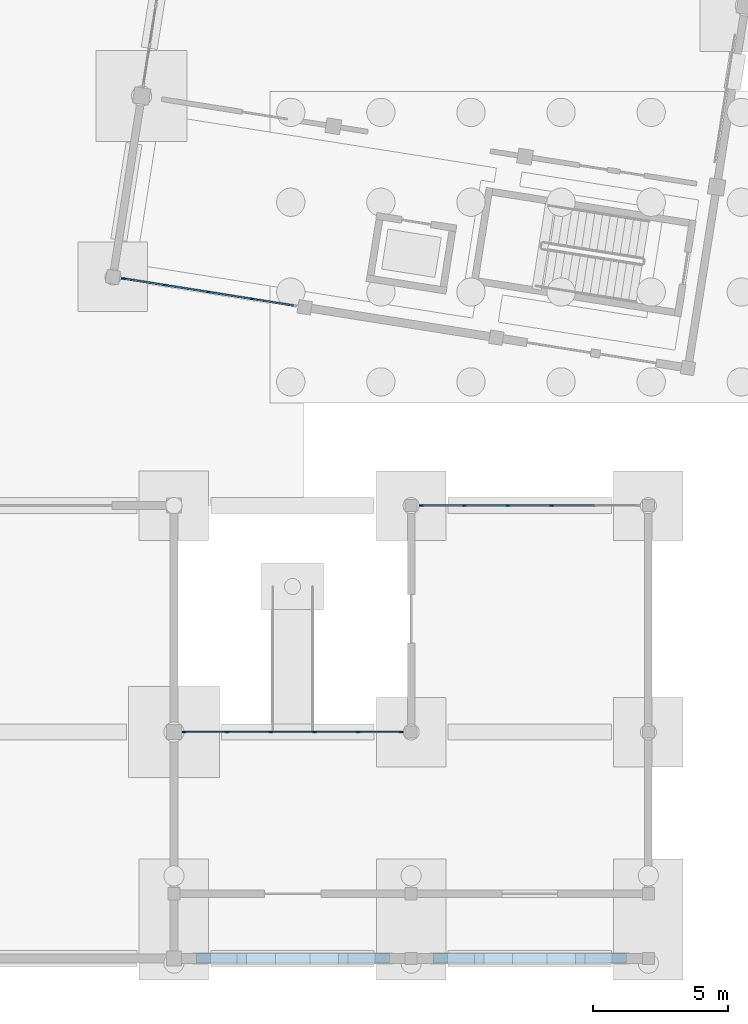
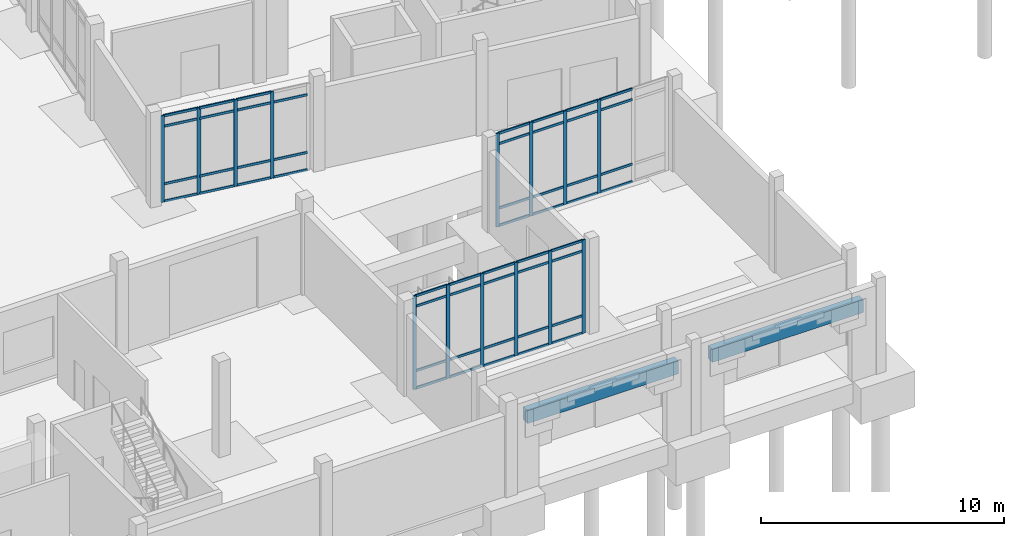
# One storey, part 14 of 72: 65 members, 2 beams, 3 elements without a shape of their own.
"""IFC4 building model written with IfcOpenShell, lengths in metres."""

import ifcopenshell
import ifcopenshell.guid

model = None  # the IFC model being written
_history = None  # IfcOwnerHistory: only IFC2X3 demands one
_inside = {}  # id of a spatial element -> (the spatial element, [elements in it])
_under = {}  # id of a project, library or spatial element -> (it, [spatial elements below it])
_declared = {}  # id of a project -> (the project, [libraries it declares])
_typed = {}  # id of a type object -> (the type object, [elements of that type])
_made_of = {}  # id of a material, layer set ... -> (it, [elements and type objects made of it])


def new_model(schema):
    """Start an empty IFC model of exactly this schema.

    Asked for "IFC4X3", IfcOpenShell would pick the latest addendum, in which some entities
    have other attributes; the version numbers below select the first issue.
    IFC2X3 requires an IfcOwnerHistory on every rooted entity: one is made here for all.
    """
    global model, _history
    if schema == "IFC4X3":
        model = ifcopenshell.file(schema_version=(4, 3, 0, 0))
    else:
        model = ifcopenshell.file(schema=schema)
    _inside.clear()
    _under.clear()
    _declared.clear()
    _typed.clear()
    _made_of.clear()
    _history = None
    if model.schema == "IFC2X3":
        org = make("IfcOrganization", Name="unknown")
        user = make(
            "IfcPersonAndOrganization",
            ThePerson=make("IfcPerson", FamilyName="unknown"),
            TheOrganization=org,
        )
        app = make(
            "IfcApplication",
            ApplicationDeveloper=org,
            Version="unknown",
            ApplicationFullName="unknown",
            ApplicationIdentifier="unknown",
        )
        _history = make(
            "IfcOwnerHistory",
            OwningUser=user,
            OwningApplication=app,
            ChangeAction="ADDED",
            CreationDate=0,
        )
    return model


def make(cls, **values):
    """One entity of the class cls with the attributes given. An attribute that is None is left unset."""
    return model.create_entity(
        cls, **{name: value for name, value in values.items() if value is not None}
    )


def rooted(cls, **values):
    """An entity with a GlobalId (a new one), such as an element, a storey or a relation."""
    return make(cls, GlobalId=ifcopenshell.guid.new(), OwnerHistory=_history, **values)


def si_unit(unit_type, name, prefix=None):
    """IfcSIUnit, for example si_unit("LENGTHUNIT", "METRE", prefix="MILLI")."""
    return make("IfcSIUnit", UnitType=unit_type, Prefix=prefix, Name=name)


def assignment(units):
    """IfcUnitAssignment: the units of a project."""
    return None if units is None else make("IfcUnitAssignment", Units=units)


def point(xyz):
    """IfcCartesianPoint."""
    return None if xyz is None else make("IfcCartesianPoint", Coordinates=xyz)


def direction(xyz):
    """IfcDirection."""
    return None if xyz is None else make("IfcDirection", DirectionRatios=xyz)


def frame(location, z_axis=None, x_axis=None):
    """IfcAxis2Placement3D, a coordinate frame: its origin and axes. An axis left out is left unset."""
    return make(
        "IfcAxis2Placement3D",
        Location=point(location),
        Axis=direction(z_axis),
        RefDirection=direction(x_axis),
    )


def frame_2d(location, x_axis=None):
    """IfcAxis2Placement2D, a coordinate frame in the plane: its origin and x axis."""
    return make(
        "IfcAxis2Placement2D", Location=point(location), RefDirection=direction(x_axis)
    )


def origin():
    """The frame at (0, 0, 0) with its axes left unset."""
    return frame((0.0, 0.0, 0.0))


def origin_2d():
    """The frame at (0, 0) in the plane with its x axis left unset."""
    return frame_2d((0.0, 0.0))


def place(relative_to, where):
    """IfcLocalPlacement: puts the frame where relative to a parent placement (None: the world)."""
    return make(
        "IfcLocalPlacement", PlacementRelTo=relative_to, RelativePlacement=where
    )


def context(
    kind, dimensions, precision=None, world=None, true_north=None, identifier=None
):
    """IfcGeometricRepresentationContext, for example the 3D "Model" context."""
    return make(
        "IfcGeometricRepresentationContext",
        ContextIdentifier=identifier,
        ContextType=kind,
        CoordinateSpaceDimension=dimensions,
        Precision=precision,
        WorldCoordinateSystem=world,
        TrueNorth=true_north,
    )


def subcontext(parent, identifier, kind, view, scale=None):
    """IfcGeometricRepresentationSubContext, for example "Body" below "Model"."""
    return make(
        "IfcGeometricRepresentationSubContext",
        ContextIdentifier=identifier,
        ContextType=kind,
        ParentContext=parent,
        TargetScale=scale,
        TargetView=view,
    )


def project(units=None, contexts=None):
    """IfcProject with its units and contexts."""
    return rooted(
        "IfcProject",
        Name="project",
        RepresentationContexts=contexts,
        UnitsInContext=assignment(units),
    )


def spatial(cls, under=None, at=None, **own):
    """A site, building, storey or space (cls), placed at a placement, below another one or the project."""
    s = rooted(cls, ObjectPlacement=at, **own)
    if under is not None:
        _under.setdefault(under.id(), (under, []))[1].append(s)
    return s


def profile(cls, at=None, kind="AREA", **sizes):
    """A parametric profile (cls). Its sizes go by their IFC names, for example OverallWidth=200.0."""
    return make(cls, ProfileType=kind, Position=at, **sizes)


def rectangle(**sizes):
    """IfcRectangleProfileDef."""
    return profile("IfcRectangleProfileDef", **sizes)


def extrude(swept, where, along, depth):
    """IfcExtrudedAreaSolid: the profile swept, set in the frame where, extruded along a direction by depth."""
    return make(
        "IfcExtrudedAreaSolid",
        SweptArea=swept,
        Position=where,
        ExtrudedDirection=direction(along),
        Depth=depth,
    )


def shape(context_of_items, identifier, shape_type, items):
    """IfcShapeRepresentation: the items that make up one representation, for example the "Body"."""
    return make(
        "IfcShapeRepresentation",
        ContextOfItems=context_of_items,
        RepresentationIdentifier=identifier,
        RepresentationType=shape_type,
        Items=items,
    )


def material(Name=None, Category=None):
    """IfcMaterial."""
    return make("IfcMaterial", Name=Name, Category=Category)


def material_profile(
    of_material, cross_section, Name=None, Category=None, Priority=None
):
    """IfcMaterialProfile: a cross section and its material."""
    return make(
        "IfcMaterialProfile",
        Name=Name,
        Material=of_material,
        Profile=cross_section,
        Priority=Priority,
        Category=Category,
    )


def profile_set(profiles, Name=None, composite=None):
    """IfcMaterialProfileSet."""
    return make(
        "IfcMaterialProfileSet",
        Name=Name,
        MaterialProfiles=profiles,
        CompositeProfile=composite,
    )


def made_of(thing, what):
    """Note that an element or type object is made of a material, layer set ...; save() writes the relation."""
    if what is not None:
        _made_of.setdefault(what.id(), (what, []))[1].append(thing)
    return thing


def type_object(cls, material=None, **own):
    """A type object (cls), such as IfcWallType, which elements share."""
    return made_of(rooted(cls, **own), material)


def element(
    cls,
    number,
    at=None,
    inside=None,
    cuts=None,
    type_object=None,
    material=None,
    context=None,
    identifier="Body",
    shape_type=None,
    held_by="IfcProductDefinitionShape",
    body=None,
    shapes=None,
    **own,
):
    """One element of the class cls, such as IfcWall. Its Tag is "e" and its number.

    at: its placement. inside: the storey or other place that contains it. cuts: it is an
    opening in that element (IfcRelVoidsElement). A single representation is given by context,
    identifier, shape_type and body (its items); several are given by shapes. held_by: the class
    of the entity that holds the representations. save() writes the other relations.
    """
    e = rooted(cls, Tag="e%d" % number, ObjectPlacement=at, **own)
    if body is not None:
        shapes = [shape(context, identifier, shape_type, body)]
    if shapes is not None:
        e.Representation = make(held_by, Representations=shapes)
    if inside is not None:
        _inside.setdefault(inside.id(), (inside, []))[1].append(e)
    if cuts is not None:
        rooted(
            "IfcRelVoidsElement", RelatingBuildingElement=cuts, RelatedOpeningElement=e
        )
    if type_object is not None:
        _typed.setdefault(type_object.id(), (type_object, []))[1].append(e)
    return made_of(e, material)


def aggregate(whole, parts):
    """IfcRelAggregates: a whole, such as a stair, and the parts it consists of."""
    return rooted("IfcRelAggregates", RelatingObject=whole, RelatedObjects=parts)


def save(model, path):
    """Write the relations noted so far, then the file.

    IfcRelAggregates (storeys below a building ...), IfcRelContainedInSpatialStructure (elements
    in a storey), IfcRelDefinesByType, IfcRelAssociatesMaterial and IfcRelDeclares: one each for
    every whole, place, type object, material and project.
    """
    for whole, parts in _under.values():
        aggregate(whole, parts)
    for where, things in _inside.values():
        rooted(
            "IfcRelContainedInSpatialStructure",
            RelatedElements=things,
            RelatingStructure=where,
        )
    for kind, things in _typed.values():
        rooted("IfcRelDefinesByType", RelatedObjects=things, RelatingType=kind)
    for what, things in _made_of.values():
        rooted("IfcRelAssociatesMaterial", RelatedObjects=things, RelatingMaterial=what)
    for by, libraries in _declared.values():
        rooted("IfcRelDeclares", RelatingContext=by, RelatedDefinitions=libraries)
    model.write(path)


model = new_model("IFC4")

# Units and contexts
model_context = context("Model", 3, precision=1e-05, world=origin(), true_north=direction((0.0, 1.0)))
body_context = subcontext(model_context, "Body", "Model", "MODEL_VIEW")
ifc_project = project(units=[si_unit("LENGTHUNIT", "METRE"), si_unit("AREAUNIT", "SQUARE_METRE"), si_unit("VOLUMEUNIT", "CUBIC_METRE"), si_unit("PLANEANGLEUNIT", "RADIAN"), si_unit("MASSUNIT", "GRAM", prefix="KILO")], contexts=[model_context])

# Site, building, storey
site_placement = place(None, origin())
site = spatial("IfcSite", under=ifc_project, at=site_placement, CompositionType="ELEMENT")
building_placement = place(site_placement, origin())
building = spatial("IfcBuilding", under=site, at=building_placement, Name="Cinderway Yard Community Centre", CompositionType="ELEMENT")
storey_placement = place(building_placement, origin())
storey = spatial("IfcBuildingStorey", under=building, at=storey_placement, Name="L00", CompositionType="ELEMENT", Elevation=0.0)

# Curtain wall, members
ifc_material_1 = material(Name="Aluminium 6063-T6", Category="aluminium")
curtain_wall_type_1 = type_object("IfcCurtainWallType", Name="ENV-CW-TYPE-13", PredefinedType="USERDEFINED", material=ifc_material_1)
curtain_wall_1_placement = place(storey_placement, origin())
curtain_wall_1 = element("IfcCurtainWall", 1, at=curtain_wall_1_placement, inside=storey, type_object=curtain_wall_type_1, Name="Sports South Lobby Curtain Wall ENV-CW-L00-ST-0050", ObjectType="GLAZED CURTAIN WALL", PredefinedType="USERDEFINED")
ifc_material_profile_1 = material_profile(ifc_material_1, rectangle(XDim=0.06005859375, YDim=0.159912109375, at=origin_2d()), Name="Aluminium 6063-T6")
ifc_profile_set_1 = profile_set([ifc_material_profile_1], Name="Aluminium 6063-T6")
member_type_1 = type_object("IfcMemberType", Name="ENV-CW-MULL-150", PredefinedType="MULLION", material=ifc_profile_set_1)
member_1_placement = place(storey_placement, frame((117.321533203125, 31.223388671875, 0.0), z_axis=(0.0, 0.0, 1.0), x_axis=(0.156636128875, 0.987656379077, 0.0)))
member_1 = element("IfcMember", 2, at=member_1_placement, type_object=member_type_1, Name="CW-13 mullion 1", PredefinedType="MULLION", context=body_context, shape_type="SweptSolid", body=[
    extrude(rectangle(XDim=0.06005859375, YDim=0.159912109375, at=origin_2d()), origin(), (0.0, 0.0, 1.0), 4.35009765625),
])
member_2_placement = place(storey_placement, frame((118.89208984375, 30.974365234375, 0.0), z_axis=(0.0, 0.0, 1.0), x_axis=(0.156636128875, 0.987656379077, 0.0)))
member_2 = element("IfcMember", 3, at=member_2_placement, type_object=member_type_1, Name="CW-13 mullion 2", PredefinedType="MULLION", context=body_context, shape_type="SweptSolid", body=[
    extrude(rectangle(XDim=0.06005859375, YDim=0.159912109375, at=origin_2d()), origin(), (0.0, 0.0, 1.0), 4.35009765625),
])
member_3_placement = place(storey_placement, frame((120.491943359375, 30.720458984375, 0.0), z_axis=(0.0, 0.0, 1.0), x_axis=(0.156636128875, 0.987656379077, 0.0)))
member_3 = element("IfcMember", 4, at=member_3_placement, type_object=member_type_1, Name="CW-13 mullion 3", PredefinedType="MULLION", context=body_context, shape_type="SweptSolid", body=[
    extrude(rectangle(XDim=0.06005859375, YDim=0.159912109375, at=origin_2d()), origin(), (0.0, 0.0, 1.0), 4.35009765625),
])
member_4_placement = place(storey_placement, frame((122.092041015625, 30.466796875, 0.0), z_axis=(0.0, 0.0, 1.0), x_axis=(0.156636128875, 0.987656379077, 0.0)))
member_4 = element("IfcMember", 5, at=member_4_placement, type_object=member_type_1, Name="CW-13 mullion 4", PredefinedType="MULLION", context=body_context, shape_type="SweptSolid", body=[
    extrude(rectangle(XDim=0.06005859375, YDim=0.159912109375, at=origin_2d()), origin(), (0.0, 0.0, 1.0), 4.35009765625),
])

curtain_wall_type_2 = type_object("IfcCurtainWallType", Name="ENV-CW-TYPE-35", PredefinedType="USERDEFINED", material=ifc_material_1)
curtain_wall_2_placement = place(storey_placement, origin())
curtain_wall_2 = element("IfcCurtainWall", 6, at=curtain_wall_2_placement, inside=storey, type_object=curtain_wall_type_2, Name="East Arcade Courtyard Curtain Wall ENV-CW-L00-ST-0198", ObjectType="GLAZED CURTAIN WALL", PredefinedType="USERDEFINED")
member_5_placement = place(storey_placement, frame((119.580078125, 14.39990234375, 0.0), z_axis=(0.0, 0.0, 1.0), x_axis=(0.0, 1.0, 0.0)))
member_5 = element("IfcMember", 7, at=member_5_placement, type_object=member_type_1, Name="CW-35 mullion 1", PredefinedType="MULLION", context=body_context, shape_type="SweptSolid", body=[
    extrude(rectangle(XDim=0.06005859375, YDim=0.159912109375, at=origin_2d()), origin(), (0.0, 0.0, 1.0), 4.699951171875),
])
member_6_placement = place(storey_placement, frame((121.169921875, 14.39990234375, 0.0), z_axis=(0.0, 0.0, 1.0), x_axis=(0.0, 1.0, 0.0)))
member_6 = element("IfcMember", 8, at=member_6_placement, type_object=member_type_1, Name="CW-35 mullion 2", PredefinedType="MULLION", context=body_context, shape_type="SweptSolid", body=[
    extrude(rectangle(XDim=0.06005859375, YDim=0.159912109375, at=origin_2d()), origin(), (0.0, 0.0, 1.0), 4.699951171875),
])
member_7_placement = place(storey_placement, frame((122.7900390625, 14.39990234375, 0.0), z_axis=(0.0, 0.0, 1.0), x_axis=(0.0, 1.0, 0.0)))
member_7 = element("IfcMember", 9, at=member_7_placement, type_object=member_type_1, Name="CW-35 mullion 3", PredefinedType="MULLION", context=body_context, shape_type="SweptSolid", body=[
    extrude(rectangle(XDim=0.06005859375, YDim=0.159912109375, at=origin_2d()), origin(), (0.0, 0.0, 1.0), 4.699951171875),
])
member_8_placement = place(storey_placement, frame((124.409912109375, 14.39990234375, 0.0), z_axis=(0.0, 0.0, 1.0), x_axis=(0.0, 1.0, 0.0)))
member_8 = element("IfcMember", 10, at=member_8_placement, type_object=member_type_1, Name="CW-35 mullion 4", PredefinedType="MULLION", context=body_context, shape_type="SweptSolid", body=[
    extrude(rectangle(XDim=0.06005859375, YDim=0.159912109375, at=origin_2d()), origin(), (0.0, 0.0, 1.0), 4.699951171875),
])
member_9_placement = place(storey_placement, frame((126.030029296875, 14.39990234375, 0.0), z_axis=(0.0, 0.0, 1.0), x_axis=(0.0, 1.0, 0.0)))
member_9 = element("IfcMember", 11, at=member_9_placement, type_object=member_type_1, Name="CW-35 mullion 5", PredefinedType="MULLION", context=body_context, shape_type="SweptSolid", body=[
    extrude(rectangle(XDim=0.06005859375, YDim=0.159912109375, at=origin_2d()), origin(), (0.0, 0.0, 1.0), 4.699951171875),
])
member_10_placement = place(storey_placement, frame((127.6201171875, 14.39990234375, 0.0), z_axis=(0.0, 0.0, 1.0), x_axis=(0.0, 1.0, 0.0)))
member_10 = element("IfcMember", 12, at=member_10_placement, type_object=member_type_1, Name="CW-35 mullion 6", PredefinedType="MULLION", context=body_context, shape_type="SweptSolid", body=[
    extrude(rectangle(XDim=0.06005859375, YDim=0.159912109375, at=origin_2d()), origin(), (0.0, 0.0, 1.0), 4.699951171875),
])

curtain_wall_3_placement = place(storey_placement, origin())
curtain_wall_3 = element("IfcCurtainWall", 13, at=curtain_wall_3_placement, inside=storey, type_object=curtain_wall_type_2, Name="East Arcade Kiosk Curtain Wall ENV-CW-L00-ST-0199", ObjectType="GLAZED CURTAIN WALL", PredefinedType="USERDEFINED")
member_11_placement = place(storey_placement, frame((128.3798828125, 22.800048828125, 0.0), z_axis=(0.0, 0.0, 1.0), x_axis=(0.0, 1.0, 0.0)))
member_11 = element("IfcMember", 14, at=member_11_placement, type_object=member_type_1, Name="CW-35 mullion 1", PredefinedType="MULLION", context=body_context, shape_type="SweptSolid", body=[
    extrude(rectangle(XDim=0.06005859375, YDim=0.159912109375, at=origin_2d()), origin(), (0.0, 0.0, 1.0), 4.699951171875),
])
member_12_placement = place(storey_placement, frame((129.969970703125, 22.800048828125, 0.0), z_axis=(0.0, 0.0, 1.0), x_axis=(0.0, 1.0, 0.0)))
member_12 = element("IfcMember", 15, at=member_12_placement, type_object=member_type_1, Name="CW-35 mullion 2", PredefinedType="MULLION", context=body_context, shape_type="SweptSolid", body=[
    extrude(rectangle(XDim=0.06005859375, YDim=0.159912109375, at=origin_2d()), origin(), (0.0, 0.0, 1.0), 4.699951171875),
])
member_13_placement = place(storey_placement, frame((131.590087890625, 22.800048828125, 0.0), z_axis=(0.0, 0.0, 1.0), x_axis=(0.0, 1.0, 0.0)))
member_13 = element("IfcMember", 16, at=member_13_placement, type_object=member_type_1, Name="CW-35 mullion 3", PredefinedType="MULLION", context=body_context, shape_type="SweptSolid", body=[
    extrude(rectangle(XDim=0.06005859375, YDim=0.159912109375, at=origin_2d()), origin(), (0.0, 0.0, 1.0), 4.699951171875),
])
member_14_placement = place(storey_placement, frame((133.2099609375, 22.800048828125, 0.0), z_axis=(0.0, 0.0, 1.0), x_axis=(0.0, 1.0, 0.0)))
member_14 = element("IfcMember", 17, at=member_14_placement, type_object=member_type_1, Name="CW-35 mullion 4", PredefinedType="MULLION", context=body_context, shape_type="SweptSolid", body=[
    extrude(rectangle(XDim=0.06005859375, YDim=0.159912109375, at=origin_2d()), origin(), (0.0, 0.0, 1.0), 4.699951171875),
])

# Member
ifc_material_profile_2 = material_profile(ifc_material_1, rectangle(XDim=0.06005859375, YDim=0.1201171875, at=origin_2d()), Name="Aluminium 6063-T6")
ifc_profile_set_2 = profile_set([ifc_material_profile_2], Name="Aluminium 6063-T6")
member_type_2 = type_object("IfcMemberType", Name="ENV-CW-TRAN-110", PredefinedType="USERDEFINED", material=ifc_profile_set_2)
member_15_placement = place(storey_placement, frame((117.351318359375, 31.218505859375, 0.030029296875), z_axis=(0.987669626151, -0.156552577679, 0.0), x_axis=(0.156552577679, 0.987669626151, 0.0)))
member_15 = element("IfcMember", 18, at=member_15_placement, type_object=member_type_2, Name="CW-13 transom 1.1", ObjectType="TRANSOM", PredefinedType="USERDEFINED", context=body_context, shape_type="SweptSolid", body=[
    extrude(rectangle(XDim=0.06005859375, YDim=0.1201171875, at=origin_2d()), origin(), (0.0, 0.0, 1.0), 1.52978515625),
])

member_16_placement = place(storey_placement, frame((117.351318359375, 31.218505859375, 0.89990234375), z_axis=(0.987669626151, -0.156552577679, 0.0), x_axis=(0.156552577679, 0.987669626151, 0.0)))
member_16 = element("IfcMember", 19, at=member_16_placement, type_object=member_type_2, Name="CW-13 transom 1.2", ObjectType="TRANSOM", PredefinedType="USERDEFINED", context=body_context, shape_type="SweptSolid", body=[
    extrude(rectangle(XDim=0.06005859375, YDim=0.1201171875, at=origin_2d()), origin(), (0.0, 0.0, 1.0), 1.52978515625),
])

member_17_placement = place(storey_placement, frame((117.351318359375, 31.218505859375, 3.800048828125), z_axis=(0.987669626151, -0.156552577679, 0.0), x_axis=(0.156552577679, 0.987669626151, 0.0)))
member_17 = element("IfcMember", 20, at=member_17_placement, type_object=member_type_2, Name="CW-13 transom 1.3", ObjectType="TRANSOM", PredefinedType="USERDEFINED", context=body_context, shape_type="SweptSolid", body=[
    extrude(rectangle(XDim=0.06005859375, YDim=0.1201171875, at=origin_2d()), origin(), (0.0, 0.0, 1.0), 1.52978515625),
])

member_18_placement = place(storey_placement, frame((117.351318359375, 31.218505859375, 4.320068359375), z_axis=(0.987669626151, -0.156552577679, 0.0), x_axis=(0.156552577679, 0.987669626151, 0.0)))
member_18 = element("IfcMember", 21, at=member_18_placement, type_object=member_type_2, Name="CW-13 transom 1.4", ObjectType="TRANSOM", PredefinedType="USERDEFINED", context=body_context, shape_type="SweptSolid", body=[
    extrude(rectangle(XDim=0.06005859375, YDim=0.1201171875, at=origin_2d()), origin(), (0.0, 0.0, 1.0), 1.52978515625),
])

member_19_placement = place(storey_placement, frame((118.921630859375, 30.969482421875, 0.030029296875), z_axis=(0.987653598494, -0.156653660607, 0.0), x_axis=(0.156653660607, 0.987653598494, 0.0)))
member_19 = element("IfcMember", 22, at=member_19_placement, type_object=member_type_2, Name="CW-13 transom 2.1", ObjectType="TRANSOM", PredefinedType="USERDEFINED", context=body_context, shape_type="SweptSolid", body=[
    extrude(rectangle(XDim=0.06005859375, YDim=0.1201171875, at=origin_2d()), origin(), (0.0, 0.0, 1.0), 1.56005859375),
])

member_20_placement = place(storey_placement, frame((118.921630859375, 30.969482421875, 0.89990234375), z_axis=(0.987653598494, -0.156653660607, 0.0), x_axis=(0.156653660607, 0.987653598494, 0.0)))
member_20 = element("IfcMember", 23, at=member_20_placement, type_object=member_type_2, Name="CW-13 transom 2.2", ObjectType="TRANSOM", PredefinedType="USERDEFINED", context=body_context, shape_type="SweptSolid", body=[
    extrude(rectangle(XDim=0.06005859375, YDim=0.1201171875, at=origin_2d()), origin(), (0.0, 0.0, 1.0), 1.56005859375),
])

member_21_placement = place(storey_placement, frame((118.921630859375, 30.969482421875, 3.800048828125), z_axis=(0.987653598494, -0.156653660607, 0.0), x_axis=(0.156653660607, 0.987653598494, 0.0)))
member_21 = element("IfcMember", 24, at=member_21_placement, type_object=member_type_2, Name="CW-13 transom 2.3", ObjectType="TRANSOM", PredefinedType="USERDEFINED", context=body_context, shape_type="SweptSolid", body=[
    extrude(rectangle(XDim=0.06005859375, YDim=0.1201171875, at=origin_2d()), origin(), (0.0, 0.0, 1.0), 1.56005859375),
])

member_22_placement = place(storey_placement, frame((118.921630859375, 30.969482421875, 4.320068359375), z_axis=(0.987653598494, -0.156653660607, 0.0), x_axis=(0.156653660607, 0.987653598494, 0.0)))
member_22 = element("IfcMember", 25, at=member_22_placement, type_object=member_type_2, Name="CW-13 transom 2.4", ObjectType="TRANSOM", PredefinedType="USERDEFINED", context=body_context, shape_type="SweptSolid", body=[
    extrude(rectangle(XDim=0.06005859375, YDim=0.1201171875, at=origin_2d()), origin(), (0.0, 0.0, 1.0), 1.56005859375),
])

member_23_placement = place(storey_placement, frame((120.521728515625, 30.7158203125, 0.030029296875), z_axis=(0.987649757105, -0.156677877474, 0.0), x_axis=(0.156677877474, 0.987649757105, 0.0)))
member_23 = element("IfcMember", 26, at=member_23_placement, type_object=member_type_2, Name="CW-13 transom 3.1", ObjectType="TRANSOM", PredefinedType="USERDEFINED", context=body_context, shape_type="SweptSolid", body=[
    extrude(rectangle(XDim=0.06005859375, YDim=0.1201171875, at=origin_2d()), origin(), (0.0, 0.0, 1.0), 1.559814453125),
])

member_24_placement = place(storey_placement, frame((120.521728515625, 30.7158203125, 0.89990234375), z_axis=(0.987649757105, -0.156677877474, 0.0), x_axis=(0.156677877474, 0.987649757105, 0.0)))
member_24 = element("IfcMember", 27, at=member_24_placement, type_object=member_type_2, Name="CW-13 transom 3.2", ObjectType="TRANSOM", PredefinedType="USERDEFINED", context=body_context, shape_type="SweptSolid", body=[
    extrude(rectangle(XDim=0.06005859375, YDim=0.1201171875, at=origin_2d()), origin(), (0.0, 0.0, 1.0), 1.559814453125),
])

member_25_placement = place(storey_placement, frame((120.521728515625, 30.7158203125, 3.800048828125), z_axis=(0.987649757105, -0.156677877474, 0.0), x_axis=(0.156677877474, 0.987649757105, 0.0)))
member_25 = element("IfcMember", 28, at=member_25_placement, type_object=member_type_2, Name="CW-13 transom 3.3", ObjectType="TRANSOM", PredefinedType="USERDEFINED", context=body_context, shape_type="SweptSolid", body=[
    extrude(rectangle(XDim=0.06005859375, YDim=0.1201171875, at=origin_2d()), origin(), (0.0, 0.0, 1.0), 1.559814453125),
])

member_26_placement = place(storey_placement, frame((120.521728515625, 30.7158203125, 4.320068359375), z_axis=(0.987649757105, -0.156677877474, 0.0), x_axis=(0.156677877474, 0.987649757105, 0.0)))
member_26 = element("IfcMember", 29, at=member_26_placement, type_object=member_type_2, Name="CW-13 transom 3.4", ObjectType="TRANSOM", PredefinedType="USERDEFINED", context=body_context, shape_type="SweptSolid", body=[
    extrude(rectangle(XDim=0.06005859375, YDim=0.1201171875, at=origin_2d()), origin(), (0.0, 0.0, 1.0), 1.559814453125),
])

member_27_placement = place(storey_placement, frame((122.12158203125, 30.462158203125, 0.030029296875), z_axis=(0.987648857134, -0.156683550518, 0.0), x_axis=(0.156683550518, 0.987648857134, 0.0)))
member_27 = element("IfcMember", 30, at=member_27_placement, type_object=member_type_2, Name="CW-13 transom 4.1", ObjectType="TRANSOM", PredefinedType="USERDEFINED", context=body_context, shape_type="SweptSolid", body=[
    extrude(rectangle(XDim=0.06005859375, YDim=0.1201171875, at=origin_2d()), origin(), (0.0, 0.0, 1.0), 1.530029296875),
])

member_28_placement = place(storey_placement, frame((122.12158203125, 30.462158203125, 0.89990234375), z_axis=(0.987648857134, -0.156683550518, 0.0), x_axis=(0.156683550518, 0.987648857134, 0.0)))
member_28 = element("IfcMember", 31, at=member_28_placement, type_object=member_type_2, Name="CW-13 transom 4.2", ObjectType="TRANSOM", PredefinedType="USERDEFINED", context=body_context, shape_type="SweptSolid", body=[
    extrude(rectangle(XDim=0.06005859375, YDim=0.1201171875, at=origin_2d()), origin(), (0.0, 0.0, 1.0), 1.530029296875),
])

member_29_placement = place(storey_placement, frame((122.12158203125, 30.462158203125, 3.800048828125), z_axis=(0.987648857134, -0.156683550518, 0.0), x_axis=(0.156683550518, 0.987648857134, 0.0)))
member_29 = element("IfcMember", 32, at=member_29_placement, type_object=member_type_2, Name="CW-13 transom 4.3", ObjectType="TRANSOM", PredefinedType="USERDEFINED", context=body_context, shape_type="SweptSolid", body=[
    extrude(rectangle(XDim=0.06005859375, YDim=0.1201171875, at=origin_2d()), origin(), (0.0, 0.0, 1.0), 1.530029296875),
])

aggregate(curtain_wall_1, [member_1, member_2, member_3, member_4, member_15, member_16, member_17, member_18, member_19, member_20, member_21, member_22, member_23, member_24, member_25, member_26, member_27, member_28, member_29])

member_30_placement = place(storey_placement, frame((119.610107421875, 14.39990234375, 0.030029296875), z_axis=(1.0, 0.0, 0.0), x_axis=(0.0, 1.0, 0.0)))
member_30 = element("IfcMember", 33, at=member_30_placement, type_object=member_type_2, Name="CW-35 transom 1.1", ObjectType="TRANSOM", PredefinedType="USERDEFINED", context=body_context, shape_type="SweptSolid", body=[
    extrude(rectangle(XDim=0.06005859375, YDim=0.1201171875, at=origin_2d()), origin(), (0.0, 0.0, 1.0), 1.52978515625),
])

member_31_placement = place(storey_placement, frame((119.610107421875, 14.39990234375, 0.89990234375), z_axis=(1.0, 0.0, 0.0), x_axis=(0.0, 1.0, 0.0)))
member_31 = element("IfcMember", 34, at=member_31_placement, type_object=member_type_2, Name="CW-35 transom 1.2", ObjectType="TRANSOM", PredefinedType="USERDEFINED", context=body_context, shape_type="SweptSolid", body=[
    extrude(rectangle(XDim=0.06005859375, YDim=0.1201171875, at=origin_2d()), origin(), (0.0, 0.0, 1.0), 1.52978515625),
])

member_32_placement = place(storey_placement, frame((119.610107421875, 14.39990234375, 4.14990234375), z_axis=(1.0, 0.0, 0.0), x_axis=(0.0, 1.0, 0.0)))
member_32 = element("IfcMember", 35, at=member_32_placement, type_object=member_type_2, Name="CW-35 transom 1.3", ObjectType="TRANSOM", PredefinedType="USERDEFINED", context=body_context, shape_type="SweptSolid", body=[
    extrude(rectangle(XDim=0.06005859375, YDim=0.1201171875, at=origin_2d()), origin(), (0.0, 0.0, 1.0), 1.52978515625),
])

member_33_placement = place(storey_placement, frame((119.610107421875, 14.39990234375, 4.669921875), z_axis=(1.0, 0.0, 0.0), x_axis=(0.0, 1.0, 0.0)))
member_33 = element("IfcMember", 36, at=member_33_placement, type_object=member_type_2, Name="CW-35 transom 1.4", ObjectType="TRANSOM", PredefinedType="USERDEFINED", context=body_context, shape_type="SweptSolid", body=[
    extrude(rectangle(XDim=0.06005859375, YDim=0.1201171875, at=origin_2d()), origin(), (0.0, 0.0, 1.0), 1.52978515625),
])

member_34_placement = place(storey_placement, frame((121.199951171875, 14.39990234375, 0.030029296875), z_axis=(1.0, 0.0, 0.0), x_axis=(0.0, 1.0, 0.0)))
member_34 = element("IfcMember", 37, at=member_34_placement, type_object=member_type_2, Name="CW-35 transom 2.1", ObjectType="TRANSOM", PredefinedType="USERDEFINED", context=body_context, shape_type="SweptSolid", body=[
    extrude(rectangle(XDim=0.06005859375, YDim=0.1201171875, at=origin_2d()), origin(), (0.0, 0.0, 1.0), 1.56005859375),
])

member_35_placement = place(storey_placement, frame((121.199951171875, 14.39990234375, 0.89990234375), z_axis=(1.0, 0.0, 0.0), x_axis=(0.0, 1.0, 0.0)))
member_35 = element("IfcMember", 38, at=member_35_placement, type_object=member_type_2, Name="CW-35 transom 2.2", ObjectType="TRANSOM", PredefinedType="USERDEFINED", context=body_context, shape_type="SweptSolid", body=[
    extrude(rectangle(XDim=0.06005859375, YDim=0.1201171875, at=origin_2d()), origin(), (0.0, 0.0, 1.0), 1.56005859375),
])

member_36_placement = place(storey_placement, frame((121.199951171875, 14.39990234375, 4.14990234375), z_axis=(1.0, 0.0, 0.0), x_axis=(0.0, 1.0, 0.0)))
member_36 = element("IfcMember", 39, at=member_36_placement, type_object=member_type_2, Name="CW-35 transom 2.3", ObjectType="TRANSOM", PredefinedType="USERDEFINED", context=body_context, shape_type="SweptSolid", body=[
    extrude(rectangle(XDim=0.06005859375, YDim=0.1201171875, at=origin_2d()), origin(), (0.0, 0.0, 1.0), 1.56005859375),
])

member_37_placement = place(storey_placement, frame((121.199951171875, 14.39990234375, 4.669921875), z_axis=(1.0, 0.0, 0.0), x_axis=(0.0, 1.0, 0.0)))
member_37 = element("IfcMember", 40, at=member_37_placement, type_object=member_type_2, Name="CW-35 transom 2.4", ObjectType="TRANSOM", PredefinedType="USERDEFINED", context=body_context, shape_type="SweptSolid", body=[
    extrude(rectangle(XDim=0.06005859375, YDim=0.1201171875, at=origin_2d()), origin(), (0.0, 0.0, 1.0), 1.56005859375),
])

member_38_placement = place(storey_placement, frame((122.820068359375, 14.39990234375, 0.030029296875), z_axis=(1.0, 0.0, 0.0), x_axis=(0.0, 1.0, 0.0)))
member_38 = element("IfcMember", 41, at=member_38_placement, type_object=member_type_2, Name="CW-35 transom 3.1", ObjectType="TRANSOM", PredefinedType="USERDEFINED", context=body_context, shape_type="SweptSolid", body=[
    extrude(rectangle(XDim=0.06005859375, YDim=0.1201171875, at=origin_2d()), origin(), (0.0, 0.0, 1.0), 1.559814453125),
])

member_39_placement = place(storey_placement, frame((122.820068359375, 14.39990234375, 0.89990234375), z_axis=(1.0, 0.0, 0.0), x_axis=(0.0, 1.0, 0.0)))
member_39 = element("IfcMember", 42, at=member_39_placement, type_object=member_type_2, Name="CW-35 transom 3.2", ObjectType="TRANSOM", PredefinedType="USERDEFINED", context=body_context, shape_type="SweptSolid", body=[
    extrude(rectangle(XDim=0.06005859375, YDim=0.1201171875, at=origin_2d()), origin(), (0.0, 0.0, 1.0), 1.559814453125),
])

member_40_placement = place(storey_placement, frame((122.820068359375, 14.39990234375, 4.14990234375), z_axis=(1.0, 0.0, 0.0), x_axis=(0.0, 1.0, 0.0)))
member_40 = element("IfcMember", 43, at=member_40_placement, type_object=member_type_2, Name="CW-35 transom 3.3", ObjectType="TRANSOM", PredefinedType="USERDEFINED", context=body_context, shape_type="SweptSolid", body=[
    extrude(rectangle(XDim=0.06005859375, YDim=0.1201171875, at=origin_2d()), origin(), (0.0, 0.0, 1.0), 1.559814453125),
])

member_41_placement = place(storey_placement, frame((122.820068359375, 14.39990234375, 4.669921875), z_axis=(1.0, 0.0, 0.0), x_axis=(0.0, 1.0, 0.0)))
member_41 = element("IfcMember", 44, at=member_41_placement, type_object=member_type_2, Name="CW-35 transom 3.4", ObjectType="TRANSOM", PredefinedType="USERDEFINED", context=body_context, shape_type="SweptSolid", body=[
    extrude(rectangle(XDim=0.06005859375, YDim=0.1201171875, at=origin_2d()), origin(), (0.0, 0.0, 1.0), 1.559814453125),
])

member_42_placement = place(storey_placement, frame((124.43994140625, 14.39990234375, 0.030029296875), z_axis=(1.0, 0.0, 0.0), x_axis=(0.0, 1.0, 0.0)))
member_42 = element("IfcMember", 45, at=member_42_placement, type_object=member_type_2, Name="CW-35 transom 4.1", ObjectType="TRANSOM", PredefinedType="USERDEFINED", context=body_context, shape_type="SweptSolid", body=[
    extrude(rectangle(XDim=0.06005859375, YDim=0.1201171875, at=origin_2d()), origin(), (0.0, 0.0, 1.0), 1.56005859375),
])

member_43_placement = place(storey_placement, frame((124.43994140625, 14.39990234375, 0.89990234375), z_axis=(1.0, 0.0, 0.0), x_axis=(0.0, 1.0, 0.0)))
member_43 = element("IfcMember", 46, at=member_43_placement, type_object=member_type_2, Name="CW-35 transom 4.2", ObjectType="TRANSOM", PredefinedType="USERDEFINED", context=body_context, shape_type="SweptSolid", body=[
    extrude(rectangle(XDim=0.06005859375, YDim=0.1201171875, at=origin_2d()), origin(), (0.0, 0.0, 1.0), 1.56005859375),
])

member_44_placement = place(storey_placement, frame((124.43994140625, 14.39990234375, 4.14990234375), z_axis=(1.0, 0.0, 0.0), x_axis=(0.0, 1.0, 0.0)))
member_44 = element("IfcMember", 47, at=member_44_placement, type_object=member_type_2, Name="CW-35 transom 4.3", ObjectType="TRANSOM", PredefinedType="USERDEFINED", context=body_context, shape_type="SweptSolid", body=[
    extrude(rectangle(XDim=0.06005859375, YDim=0.1201171875, at=origin_2d()), origin(), (0.0, 0.0, 1.0), 1.56005859375),
])

member_45_placement = place(storey_placement, frame((124.43994140625, 14.39990234375, 4.669921875), z_axis=(1.0, 0.0, 0.0), x_axis=(0.0, 1.0, 0.0)))
member_45 = element("IfcMember", 48, at=member_45_placement, type_object=member_type_2, Name="CW-35 transom 4.4", ObjectType="TRANSOM", PredefinedType="USERDEFINED", context=body_context, shape_type="SweptSolid", body=[
    extrude(rectangle(XDim=0.06005859375, YDim=0.1201171875, at=origin_2d()), origin(), (0.0, 0.0, 1.0), 1.56005859375),
])

member_46_placement = place(storey_placement, frame((126.06005859375, 14.39990234375, 0.030029296875), z_axis=(1.0, 0.0, 0.0), x_axis=(0.0, 1.0, 0.0)))
member_46 = element("IfcMember", 49, at=member_46_placement, type_object=member_type_2, Name="CW-35 transom 5.1", ObjectType="TRANSOM", PredefinedType="USERDEFINED", context=body_context, shape_type="SweptSolid", body=[
    extrude(rectangle(XDim=0.06005859375, YDim=0.1201171875, at=origin_2d()), origin(), (0.0, 0.0, 1.0), 1.530029296875),
])

member_47_placement = place(storey_placement, frame((126.06005859375, 14.39990234375, 0.89990234375), z_axis=(1.0, 0.0, 0.0), x_axis=(0.0, 1.0, 0.0)))
member_47 = element("IfcMember", 50, at=member_47_placement, type_object=member_type_2, Name="CW-35 transom 5.2", ObjectType="TRANSOM", PredefinedType="USERDEFINED", context=body_context, shape_type="SweptSolid", body=[
    extrude(rectangle(XDim=0.06005859375, YDim=0.1201171875, at=origin_2d()), origin(), (0.0, 0.0, 1.0), 1.530029296875),
])

member_48_placement = place(storey_placement, frame((126.06005859375, 14.39990234375, 4.14990234375), z_axis=(1.0, 0.0, 0.0), x_axis=(0.0, 1.0, 0.0)))
member_48 = element("IfcMember", 51, at=member_48_placement, type_object=member_type_2, Name="CW-35 transom 5.3", ObjectType="TRANSOM", PredefinedType="USERDEFINED", context=body_context, shape_type="SweptSolid", body=[
    extrude(rectangle(XDim=0.06005859375, YDim=0.1201171875, at=origin_2d()), origin(), (0.0, 0.0, 1.0), 1.530029296875),
])

member_49_placement = place(storey_placement, frame((126.06005859375, 14.39990234375, 4.669921875), z_axis=(1.0, 0.0, 0.0), x_axis=(0.0, 1.0, 0.0)))
member_49 = element("IfcMember", 52, at=member_49_placement, type_object=member_type_2, Name="CW-35 transom 5.4", ObjectType="TRANSOM", PredefinedType="USERDEFINED", context=body_context, shape_type="SweptSolid", body=[
    extrude(rectangle(XDim=0.06005859375, YDim=0.1201171875, at=origin_2d()), origin(), (0.0, 0.0, 1.0), 1.530029296875),
])

aggregate(curtain_wall_2, [member_5, member_6, member_7, member_8, member_9, member_10, member_30, member_31, member_32, member_33, member_34, member_35, member_36, member_37, member_38, member_39, member_40, member_41, member_42, member_43, member_44, member_45, member_46, member_47, member_48, member_49])

member_50_placement = place(storey_placement, frame((128.409912109375, 22.800048828125, 0.030029296875), z_axis=(1.0, 0.0, 0.0), x_axis=(0.0, 1.0, 0.0)))
member_50 = element("IfcMember", 53, at=member_50_placement, type_object=member_type_2, Name="CW-35 transom 1.1", ObjectType="TRANSOM", PredefinedType="USERDEFINED", context=body_context, shape_type="SweptSolid", body=[
    extrude(rectangle(XDim=0.06005859375, YDim=0.1201171875, at=origin_2d()), origin(), (0.0, 0.0, 1.0), 1.530029296875),
])

member_51_placement = place(storey_placement, frame((128.409912109375, 22.800048828125, 0.89990234375), z_axis=(1.0, 0.0, 0.0), x_axis=(0.0, 1.0, 0.0)))
member_51 = element("IfcMember", 54, at=member_51_placement, type_object=member_type_2, Name="CW-35 transom 1.2", ObjectType="TRANSOM", PredefinedType="USERDEFINED", context=body_context, shape_type="SweptSolid", body=[
    extrude(rectangle(XDim=0.06005859375, YDim=0.1201171875, at=origin_2d()), origin(), (0.0, 0.0, 1.0), 1.530029296875),
])

member_52_placement = place(storey_placement, frame((128.409912109375, 22.800048828125, 4.14990234375), z_axis=(1.0, 0.0, 0.0), x_axis=(0.0, 1.0, 0.0)))
member_52 = element("IfcMember", 55, at=member_52_placement, type_object=member_type_2, Name="CW-35 transom 1.3", ObjectType="TRANSOM", PredefinedType="USERDEFINED", context=body_context, shape_type="SweptSolid", body=[
    extrude(rectangle(XDim=0.06005859375, YDim=0.1201171875, at=origin_2d()), origin(), (0.0, 0.0, 1.0), 1.530029296875),
])

member_53_placement = place(storey_placement, frame((128.409912109375, 22.800048828125, 4.669921875), z_axis=(1.0, 0.0, 0.0), x_axis=(0.0, 1.0, 0.0)))
member_53 = element("IfcMember", 56, at=member_53_placement, type_object=member_type_2, Name="CW-35 transom 1.4", ObjectType="TRANSOM", PredefinedType="USERDEFINED", context=body_context, shape_type="SweptSolid", body=[
    extrude(rectangle(XDim=0.06005859375, YDim=0.1201171875, at=origin_2d()), origin(), (0.0, 0.0, 1.0), 1.530029296875),
])

member_54_placement = place(storey_placement, frame((130.0, 22.800048828125, 0.030029296875), z_axis=(1.0, 0.0, 0.0), x_axis=(0.0, 1.0, 0.0)))
member_54 = element("IfcMember", 57, at=member_54_placement, type_object=member_type_2, Name="CW-35 transom 2.1", ObjectType="TRANSOM", PredefinedType="USERDEFINED", context=body_context, shape_type="SweptSolid", body=[
    extrude(rectangle(XDim=0.06005859375, YDim=0.1201171875, at=origin_2d()), origin(), (0.0, 0.0, 1.0), 1.56005859375),
])

member_55_placement = place(storey_placement, frame((130.0, 22.800048828125, 0.89990234375), z_axis=(1.0, 0.0, 0.0), x_axis=(0.0, 1.0, 0.0)))
member_55 = element("IfcMember", 58, at=member_55_placement, type_object=member_type_2, Name="CW-35 transom 2.2", ObjectType="TRANSOM", PredefinedType="USERDEFINED", context=body_context, shape_type="SweptSolid", body=[
    extrude(rectangle(XDim=0.06005859375, YDim=0.1201171875, at=origin_2d()), origin(), (0.0, 0.0, 1.0), 1.56005859375),
])

member_56_placement = place(storey_placement, frame((130.0, 22.800048828125, 4.14990234375), z_axis=(1.0, 0.0, 0.0), x_axis=(0.0, 1.0, 0.0)))
member_56 = element("IfcMember", 59, at=member_56_placement, type_object=member_type_2, Name="CW-35 transom 2.3", ObjectType="TRANSOM", PredefinedType="USERDEFINED", context=body_context, shape_type="SweptSolid", body=[
    extrude(rectangle(XDim=0.06005859375, YDim=0.1201171875, at=origin_2d()), origin(), (0.0, 0.0, 1.0), 1.56005859375),
])

member_57_placement = place(storey_placement, frame((130.0, 22.800048828125, 4.669921875), z_axis=(1.0, 0.0, 0.0), x_axis=(0.0, 1.0, 0.0)))
member_57 = element("IfcMember", 60, at=member_57_placement, type_object=member_type_2, Name="CW-35 transom 2.4", ObjectType="TRANSOM", PredefinedType="USERDEFINED", context=body_context, shape_type="SweptSolid", body=[
    extrude(rectangle(XDim=0.06005859375, YDim=0.1201171875, at=origin_2d()), origin(), (0.0, 0.0, 1.0), 1.56005859375),
])

member_58_placement = place(storey_placement, frame((131.6201171875, 22.800048828125, 0.030029296875), z_axis=(1.0, 0.0, 0.0), x_axis=(0.0, 1.0, 0.0)))
member_58 = element("IfcMember", 61, at=member_58_placement, type_object=member_type_2, Name="CW-35 transom 3.1", ObjectType="TRANSOM", PredefinedType="USERDEFINED", context=body_context, shape_type="SweptSolid", body=[
    extrude(rectangle(XDim=0.06005859375, YDim=0.1201171875, at=origin_2d()), origin(), (0.0, 0.0, 1.0), 1.559814453125),
])

member_59_placement = place(storey_placement, frame((131.6201171875, 22.800048828125, 0.89990234375), z_axis=(1.0, 0.0, 0.0), x_axis=(0.0, 1.0, 0.0)))
member_59 = element("IfcMember", 62, at=member_59_placement, type_object=member_type_2, Name="CW-35 transom 3.2", ObjectType="TRANSOM", PredefinedType="USERDEFINED", context=body_context, shape_type="SweptSolid", body=[
    extrude(rectangle(XDim=0.06005859375, YDim=0.1201171875, at=origin_2d()), origin(), (0.0, 0.0, 1.0), 1.559814453125),
])

member_60_placement = place(storey_placement, frame((131.6201171875, 22.800048828125, 4.14990234375), z_axis=(1.0, 0.0, 0.0), x_axis=(0.0, 1.0, 0.0)))
member_60 = element("IfcMember", 63, at=member_60_placement, type_object=member_type_2, Name="CW-35 transom 3.3", ObjectType="TRANSOM", PredefinedType="USERDEFINED", context=body_context, shape_type="SweptSolid", body=[
    extrude(rectangle(XDim=0.06005859375, YDim=0.1201171875, at=origin_2d()), origin(), (0.0, 0.0, 1.0), 1.559814453125),
])

member_61_placement = place(storey_placement, frame((131.6201171875, 22.800048828125, 4.669921875), z_axis=(1.0, 0.0, 0.0), x_axis=(0.0, 1.0, 0.0)))
member_61 = element("IfcMember", 64, at=member_61_placement, type_object=member_type_2, Name="CW-35 transom 3.4", ObjectType="TRANSOM", PredefinedType="USERDEFINED", context=body_context, shape_type="SweptSolid", body=[
    extrude(rectangle(XDim=0.06005859375, YDim=0.1201171875, at=origin_2d()), origin(), (0.0, 0.0, 1.0), 1.559814453125),
])

member_62_placement = place(storey_placement, frame((133.239990234375, 22.800048828125, 0.030029296875), z_axis=(1.0, 0.0, 0.0), x_axis=(0.0, 1.0, 0.0)))
member_62 = element("IfcMember", 65, at=member_62_placement, type_object=member_type_2, Name="CW-35 transom 4.1", ObjectType="TRANSOM", PredefinedType="USERDEFINED", context=body_context, shape_type="SweptSolid", body=[
    extrude(rectangle(XDim=0.06005859375, YDim=0.1201171875, at=origin_2d()), origin(), (0.0, 0.0, 1.0), 1.56005859375),
])

member_63_placement = place(storey_placement, frame((133.239990234375, 22.800048828125, 0.89990234375), z_axis=(1.0, 0.0, 0.0), x_axis=(0.0, 1.0, 0.0)))
member_63 = element("IfcMember", 66, at=member_63_placement, type_object=member_type_2, Name="CW-35 transom 4.2", ObjectType="TRANSOM", PredefinedType="USERDEFINED", context=body_context, shape_type="SweptSolid", body=[
    extrude(rectangle(XDim=0.06005859375, YDim=0.1201171875, at=origin_2d()), origin(), (0.0, 0.0, 1.0), 1.56005859375),
])

member_64_placement = place(storey_placement, frame((133.239990234375, 22.800048828125, 4.14990234375), z_axis=(1.0, 0.0, 0.0), x_axis=(0.0, 1.0, 0.0)))
member_64 = element("IfcMember", 67, at=member_64_placement, type_object=member_type_2, Name="CW-35 transom 4.3", ObjectType="TRANSOM", PredefinedType="USERDEFINED", context=body_context, shape_type="SweptSolid", body=[
    extrude(rectangle(XDim=0.06005859375, YDim=0.1201171875, at=origin_2d()), origin(), (0.0, 0.0, 1.0), 1.56005859375),
])

member_65_placement = place(storey_placement, frame((133.239990234375, 22.800048828125, 4.669921875), z_axis=(1.0, 0.0, 0.0), x_axis=(0.0, 1.0, 0.0)))
member_65 = element("IfcMember", 68, at=member_65_placement, type_object=member_type_2, Name="CW-35 transom 4.4", ObjectType="TRANSOM", PredefinedType="USERDEFINED", context=body_context, shape_type="SweptSolid", body=[
    extrude(rectangle(XDim=0.06005859375, YDim=0.1201171875, at=origin_2d()), origin(), (0.0, 0.0, 1.0), 1.56005859375),
])

aggregate(curtain_wall_3, [member_11, member_12, member_13, member_14, member_50, member_51, member_52, member_53, member_54, member_55, member_56, member_57, member_58, member_59, member_60, member_61, member_62, member_63, member_64, member_65])

# Beams
ifc_material_2 = material(Name="Concrete C35/45", Category="concrete")
ifc_material_profile_3 = material_profile(ifc_material_2, rectangle(XDim=0.35009765625, YDim=0.64990234375, at=origin_2d()), Name="Concrete C35/45")
ifc_profile_set_3 = profile_set([ifc_material_profile_3], Name="Concrete C35/45")
beam_type = type_object("IfcBeamType", Name="STR-BM-RC350X650", PredefinedType="BEAM", material=ifc_profile_set_3)
for number, where, z_axis, x_axis, name in (
    (69, (120.010009765625, 6.0, 3.625), (1.0, 0.0, 0.0), (0.0, 1.0, 0.0), "East Storm Arcade West Niche Lintel 02"),
    (70, (128.81005859375, 6.0, 3.625), (1.0, 0.0, 0.0), (0.0, 1.0, 0.0), "East Storm Arcade East Niche Lintel 03"),
):
    element("IfcBeam", number, at=place(storey_placement, frame(where, z_axis=z_axis, x_axis=x_axis)), inside=storey, type_object=beam_type, Name=name, PredefinedType="BEAM", context=body_context, shape_type="SweptSolid", body=[
        extrude(rectangle(XDim=0.35009765625, YDim=0.64990234375, at=origin_2d()), origin(), (0.0, 0.0, 1.0), 7.179931640625),
    ])

save(model, "model.ifc")
